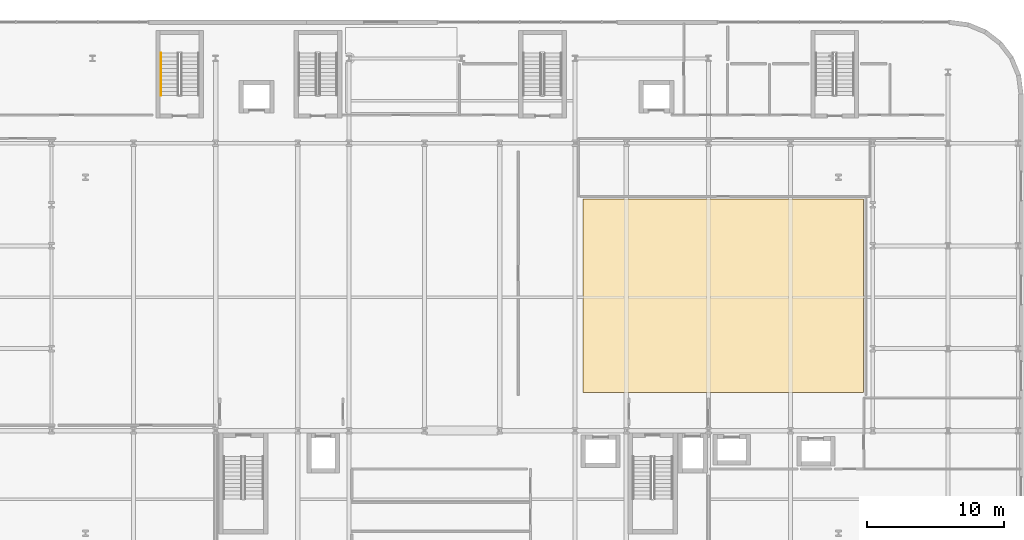
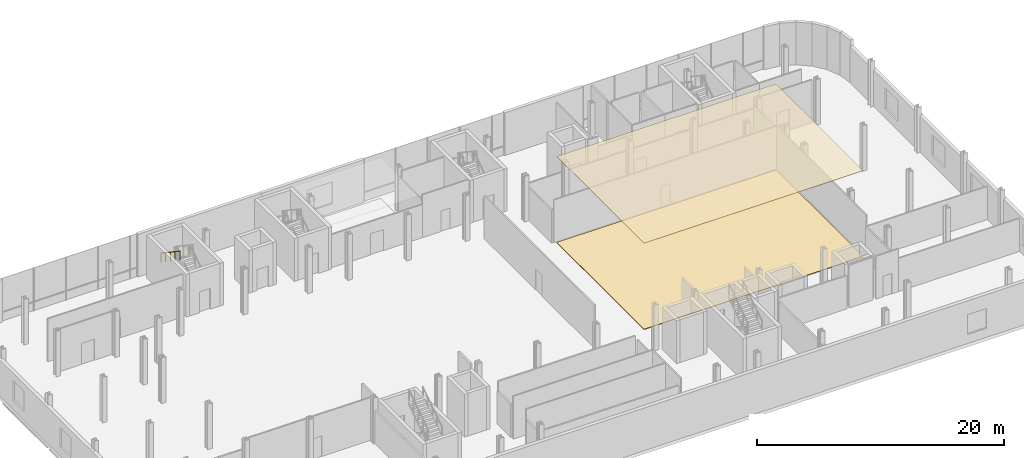
# One storey, part 23 of 25: 2 coverings, 1 railing.
"""IFC4 building model written with IfcOpenShell, lengths in metres."""

from ifc_helpers import new_model, si_unit, direction, frame, origin, origin_2d, place, context, subcontext, project, spatial, polyline, circle, outline, extrude, material, layer, layer_set, type_object, element, save


model = new_model("IFC4")

# Units and contexts
model_context = context("Model", 3, precision=1e-05, world=origin(), true_north=direction((0.0, 1.0)))
body_context = subcontext(model_context, "Body", "Model", "MODEL_VIEW")
ifc_project = project(units=[si_unit("LENGTHUNIT", "METRE"), si_unit("AREAUNIT", "SQUARE_METRE"), si_unit("VOLUMEUNIT", "CUBIC_METRE"), si_unit("PLANEANGLEUNIT", "RADIAN"), si_unit("MASSUNIT", "GRAM", prefix="KILO")], contexts=[model_context])

# Site, building, storey
site_placement = place(None, origin())
site = spatial("IfcSite", under=ifc_project, at=site_placement, CompositionType="ELEMENT")
building_placement = place(site_placement, origin())
building = spatial("IfcBuilding", under=site, at=building_placement, Name="Brevholm Reach", CompositionType="ELEMENT")
storey_placement = place(building_placement, frame((0.0, 0.0, 4.5)))
storey = spatial("IfcBuildingStorey", under=building, at=storey_placement, Name="L01", CompositionType="ELEMENT", Elevation=4.5)

# Coverings
ifc_material_1 = material(Name="Perforated Mineral-Fibre Class-A Acoustic Suspended Ceiling", Category="gypsum")
ifc_layer_1 = layer(ifc_material_1, 0.044921875)
ifc_layer_set_1 = layer_set([ifc_layer_1], Name="Perforated Mineral-Fibre Class-A Acoustic Suspended Ceiling")
covering_type_1 = type_object("IfcCoveringType", Name="COV-CLG-AC", PredefinedType="CEILING", material=ifc_layer_set_1)
covering_1_placement = place(storey_placement, frame((0.0, 0.0, 8.5048828125)))
element("IfcCovering", 1, at=covering_1_placement, inside=storey, type_object=covering_type_1, Name="L01 Suspended Ceiling L01-34", PredefinedType="CEILING", context=body_context, shape_type="SweptSolid", body=[
    extrude(outline(polyline([(38.830078125, 26.919921875), (59.320068359375, 26.919921875), (59.320068359375, 12.780029296875), (38.830078125, 12.780029296875), (38.830078125, 26.919921875)])), origin(), (0.0, 0.0, 1.0), 0.045166015625),
])
ifc_material_2 = material(Name="Sprung Beech Sports Hall Shock-Absorbing Floor System", Category="timber")
ifc_layer_2 = layer(ifc_material_2, 0.052001953125)
ifc_layer_set_2 = layer_set([ifc_layer_2], Name="Sprung Beech Sports Hall Shock-Absorbing Floor System")
covering_type_2 = type_object("IfcCoveringType", Name="COV-FLR-SPR", PredefinedType="FLOORING", material=ifc_layer_set_2)
covering_2_placement = place(storey_placement, origin())
element("IfcCovering", 2, at=covering_2_placement, inside=storey, type_object=covering_type_2, Name="L01 Sprung Sports Floor Finish L01-34", PredefinedType="FLOORING", context=body_context, shape_type="SweptSolid", body=[
    extrude(outline(polyline([(38.830078125, 26.919921875), (59.320068359375, 26.919921875), (59.320068359375, 12.780029296875), (38.830078125, 12.780029296875), (38.830078125, 26.919921875)])), origin(), (0.0, 0.0, 1.0), 0.052001953125),
])

# Railing
ifc_material_3 = material(Name="Brushed Stainless Steel EN 1.4401 Continuous Handrail", Category="steel")
railing_type = type_object("IfcRailingType", Name="RAL-HND-950", PredefinedType="HANDRAIL", material=ifc_material_3)
railing_placement = place(storey_placement, frame((8.0, 37.580078125, 2.4375)))
element("IfcRailing", 3, at=railing_placement, inside=storey, type_object=railing_type, Name="L01 ST-S1 stair handrail 2", PredefinedType="HANDRAIL", context=body_context, shape_type="SweptSolid", body=[
    extrude(circle(Radius=0.02392578125, at=origin_2d()), frame((0.0, 0.0, 0.8857421875), z_axis=(0.0, -0.830913701846, 0.55640131208), x_axis=(1.0, 0.0, 0.0)), (0.0, 0.0, 1.0), 3.706787109375),
    extrude(circle(Radius=0.02099609375, at=origin_2d()), origin(), (0.0, 0.0, 1.0), 0.86181640625),
    extrude(circle(Radius=0.02099609375, at=origin_2d()), frame((0.0, -0.77001953125, 0.515625)), (0.0, 0.0, 1.0), 0.86181640625),
    extrude(circle(Radius=0.02099609375, at=origin_2d()), frame((0.0, -1.5400390625, 1.03125)), (0.0, 0.0, 1.0), 0.86181640625),
    extrude(circle(Radius=0.02099609375, at=origin_2d()), frame((0.0, -2.31005859375, 1.546875)), (0.0, 0.0, 1.0), 0.86181640625),
    extrude(circle(Radius=0.02099609375, at=origin_2d()), frame((0.0, -3.080078125, 2.0625)), (0.0, 0.0, 1.0), 0.86181640625),
])

save(model, "model.ifc")
